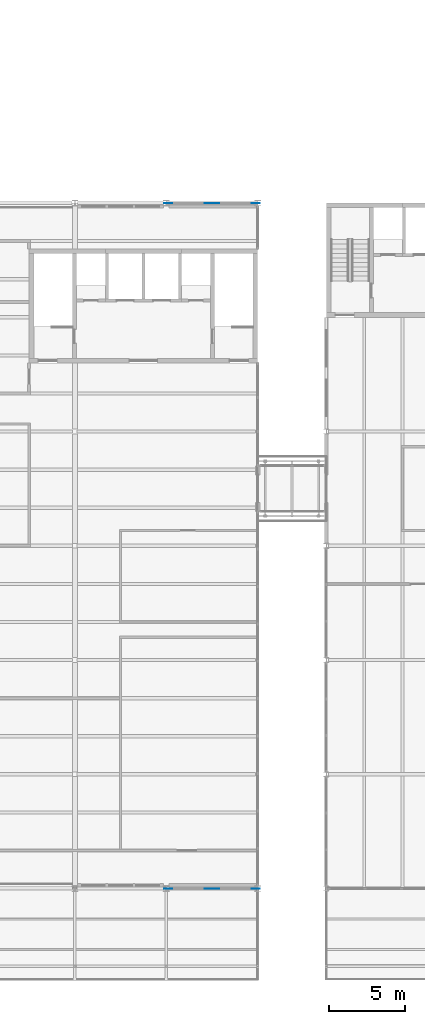
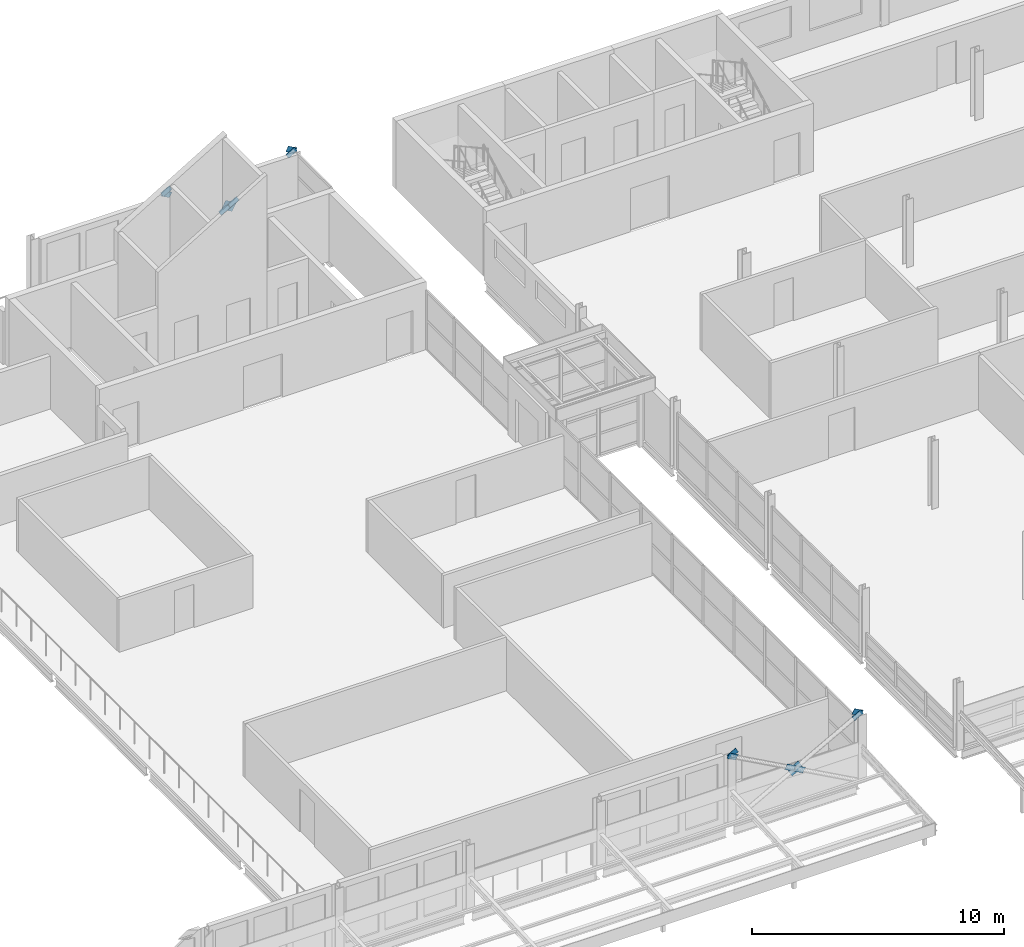
# One storey, part 177 of 214: 14 discrete accessories.
"""IFC4 building model written with IfcOpenShell, lengths in metres."""

import ifcopenshell
import ifcopenshell.guid

model = None  # the IFC model being written
_history = None  # IfcOwnerHistory: only IFC2X3 demands one
_inside = {}  # id of a spatial element -> (the spatial element, [elements in it])
_under = {}  # id of a project, library or spatial element -> (it, [spatial elements below it])
_declared = {}  # id of a project -> (the project, [libraries it declares])
_typed = {}  # id of a type object -> (the type object, [elements of that type])
_made_of = {}  # id of a material, layer set ... -> (it, [elements and type objects made of it])


def new_model(schema):
    """Start an empty IFC model of exactly this schema.

    Asked for "IFC4X3", IfcOpenShell would pick the latest addendum, in which some entities
    have other attributes; the version numbers below select the first issue.
    IFC2X3 requires an IfcOwnerHistory on every rooted entity: one is made here for all.
    """
    global model, _history
    if schema == "IFC4X3":
        model = ifcopenshell.file(schema_version=(4, 3, 0, 0))
    else:
        model = ifcopenshell.file(schema=schema)
    _inside.clear()
    _under.clear()
    _declared.clear()
    _typed.clear()
    _made_of.clear()
    _history = None
    if model.schema == "IFC2X3":
        org = make("IfcOrganization", Name="unknown")
        user = make(
            "IfcPersonAndOrganization",
            ThePerson=make("IfcPerson", FamilyName="unknown"),
            TheOrganization=org,
        )
        app = make(
            "IfcApplication",
            ApplicationDeveloper=org,
            Version="unknown",
            ApplicationFullName="unknown",
            ApplicationIdentifier="unknown",
        )
        _history = make(
            "IfcOwnerHistory",
            OwningUser=user,
            OwningApplication=app,
            ChangeAction="ADDED",
            CreationDate=0,
        )
    return model


def make(cls, **values):
    """One entity of the class cls with the attributes given. An attribute that is None is left unset."""
    return model.create_entity(
        cls, **{name: value for name, value in values.items() if value is not None}
    )


def rooted(cls, **values):
    """An entity with a GlobalId (a new one), such as an element, a storey or a relation."""
    return make(cls, GlobalId=ifcopenshell.guid.new(), OwnerHistory=_history, **values)


def si_unit(unit_type, name, prefix=None):
    """IfcSIUnit, for example si_unit("LENGTHUNIT", "METRE", prefix="MILLI")."""
    return make("IfcSIUnit", UnitType=unit_type, Prefix=prefix, Name=name)


def assignment(units):
    """IfcUnitAssignment: the units of a project."""
    return None if units is None else make("IfcUnitAssignment", Units=units)


def point(xyz):
    """IfcCartesianPoint."""
    return None if xyz is None else make("IfcCartesianPoint", Coordinates=xyz)


def direction(xyz):
    """IfcDirection."""
    return None if xyz is None else make("IfcDirection", DirectionRatios=xyz)


def frame(location, z_axis=None, x_axis=None):
    """IfcAxis2Placement3D, a coordinate frame: its origin and axes. An axis left out is left unset."""
    return make(
        "IfcAxis2Placement3D",
        Location=point(location),
        Axis=direction(z_axis),
        RefDirection=direction(x_axis),
    )


def origin():
    """The frame at (0, 0, 0) with its axes left unset."""
    return frame((0.0, 0.0, 0.0))


def place(relative_to, where):
    """IfcLocalPlacement: puts the frame where relative to a parent placement (None: the world)."""
    return make(
        "IfcLocalPlacement", PlacementRelTo=relative_to, RelativePlacement=where
    )


def context(
    kind, dimensions, precision=None, world=None, true_north=None, identifier=None
):
    """IfcGeometricRepresentationContext, for example the 3D "Model" context."""
    return make(
        "IfcGeometricRepresentationContext",
        ContextIdentifier=identifier,
        ContextType=kind,
        CoordinateSpaceDimension=dimensions,
        Precision=precision,
        WorldCoordinateSystem=world,
        TrueNorth=true_north,
    )


def subcontext(parent, identifier, kind, view, scale=None):
    """IfcGeometricRepresentationSubContext, for example "Body" below "Model"."""
    return make(
        "IfcGeometricRepresentationSubContext",
        ContextIdentifier=identifier,
        ContextType=kind,
        ParentContext=parent,
        TargetScale=scale,
        TargetView=view,
    )


def project(units=None, contexts=None):
    """IfcProject with its units and contexts."""
    return rooted(
        "IfcProject",
        Name="project",
        RepresentationContexts=contexts,
        UnitsInContext=assignment(units),
    )


def spatial(cls, under=None, at=None, **own):
    """A site, building, storey or space (cls), placed at a placement, below another one or the project."""
    s = rooted(cls, ObjectPlacement=at, **own)
    if under is not None:
        _under.setdefault(under.id(), (under, []))[1].append(s)
    return s


def polyline(points):
    """IfcPolyline through the points."""
    return make("IfcPolyline", Points=[point(p) for p in points])


def outline(outer, holes=None, kind="AREA"):
    """IfcArbitraryClosedProfileDef: a profile drawn as a closed curve; with holes, ...WithVoids."""
    if holes is None:
        return make("IfcArbitraryClosedProfileDef", ProfileType=kind, OuterCurve=outer)
    return make(
        "IfcArbitraryProfileDefWithVoids",
        ProfileType=kind,
        OuterCurve=outer,
        InnerCurves=holes,
    )


def extrude(swept, where, along, depth):
    """IfcExtrudedAreaSolid: the profile swept, set in the frame where, extruded along a direction by depth."""
    return make(
        "IfcExtrudedAreaSolid",
        SweptArea=swept,
        Position=where,
        ExtrudedDirection=direction(along),
        Depth=depth,
    )


def shape(context_of_items, identifier, shape_type, items):
    """IfcShapeRepresentation: the items that make up one representation, for example the "Body"."""
    return make(
        "IfcShapeRepresentation",
        ContextOfItems=context_of_items,
        RepresentationIdentifier=identifier,
        RepresentationType=shape_type,
        Items=items,
    )


def material(Name=None, Category=None):
    """IfcMaterial."""
    return make("IfcMaterial", Name=Name, Category=Category)


def layer(
    of_material, thickness, ventilated=None, Name=None, Category=None, Priority=None
):
    """IfcMaterialLayer: one layer of a wall or slab, of a material (None: an air gap)."""
    return make(
        "IfcMaterialLayer",
        Material=of_material,
        LayerThickness=thickness,
        IsVentilated=ventilated,
        Name=Name,
        Category=Category,
        Priority=Priority,
    )


def layer_set(layers, Name=None):
    """IfcMaterialLayerSet."""
    return make("IfcMaterialLayerSet", MaterialLayers=layers, LayerSetName=Name)


def made_of(thing, what):
    """Note that an element or type object is made of a material, layer set ...; save() writes the relation."""
    if what is not None:
        _made_of.setdefault(what.id(), (what, []))[1].append(thing)
    return thing


def type_object(cls, material=None, **own):
    """A type object (cls), such as IfcWallType, which elements share."""
    return made_of(rooted(cls, **own), material)


def element(
    cls,
    number,
    at=None,
    inside=None,
    cuts=None,
    type_object=None,
    material=None,
    context=None,
    identifier="Body",
    shape_type=None,
    held_by="IfcProductDefinitionShape",
    body=None,
    shapes=None,
    **own,
):
    """One element of the class cls, such as IfcWall. Its Tag is "e" and its number.

    at: its placement. inside: the storey or other place that contains it. cuts: it is an
    opening in that element (IfcRelVoidsElement). A single representation is given by context,
    identifier, shape_type and body (its items); several are given by shapes. held_by: the class
    of the entity that holds the representations. save() writes the other relations.
    """
    e = rooted(cls, Tag="e%d" % number, ObjectPlacement=at, **own)
    if body is not None:
        shapes = [shape(context, identifier, shape_type, body)]
    if shapes is not None:
        e.Representation = make(held_by, Representations=shapes)
    if inside is not None:
        _inside.setdefault(inside.id(), (inside, []))[1].append(e)
    if cuts is not None:
        rooted(
            "IfcRelVoidsElement", RelatingBuildingElement=cuts, RelatedOpeningElement=e
        )
    if type_object is not None:
        _typed.setdefault(type_object.id(), (type_object, []))[1].append(e)
    return made_of(e, material)


def aggregate(whole, parts):
    """IfcRelAggregates: a whole, such as a stair, and the parts it consists of."""
    return rooted("IfcRelAggregates", RelatingObject=whole, RelatedObjects=parts)


def save(model, path):
    """Write the relations noted so far, then the file.

    IfcRelAggregates (storeys below a building ...), IfcRelContainedInSpatialStructure (elements
    in a storey), IfcRelDefinesByType, IfcRelAssociatesMaterial and IfcRelDeclares: one each for
    every whole, place, type object, material and project.
    """
    for whole, parts in _under.values():
        aggregate(whole, parts)
    for where, things in _inside.values():
        rooted(
            "IfcRelContainedInSpatialStructure",
            RelatedElements=things,
            RelatingStructure=where,
        )
    for kind, things in _typed.values():
        rooted("IfcRelDefinesByType", RelatedObjects=things, RelatingType=kind)
    for what, things in _made_of.values():
        rooted("IfcRelAssociatesMaterial", RelatedObjects=things, RelatingMaterial=what)
    for by, libraries in _declared.values():
        rooted("IfcRelDeclares", RelatingContext=by, RelatedDefinitions=libraries)
    model.write(path)


model = new_model("IFC4")

# Units and contexts
model_context = context("Model", 3, precision=1e-05, world=origin(), true_north=direction((0.0, 1.0)))
body_context = subcontext(model_context, "Body", "Model", "MODEL_VIEW")
ifc_project = project(units=[si_unit("LENGTHUNIT", "METRE"), si_unit("AREAUNIT", "SQUARE_METRE"), si_unit("VOLUMEUNIT", "CUBIC_METRE"), si_unit("PLANEANGLEUNIT", "RADIAN"), si_unit("MASSUNIT", "GRAM", prefix="KILO")], contexts=[model_context])

# Site, building, storey
site_placement = place(None, origin())
site = spatial("IfcSite", under=ifc_project, at=site_placement, CompositionType="ELEMENT")
building_placement = place(site_placement, origin())
building = spatial("IfcBuilding", under=site, at=building_placement, Name="Parallax Yard Mobility Hub", CompositionType="ELEMENT")
storey_placement = place(building_placement, frame((0.0, 0.0, 3.300048828125)))
storey = spatial("IfcBuildingStorey", under=building, at=storey_placement, Name="L01", CompositionType="ELEMENT", Elevation=3.300048828125)

# Discrete accessories
ifc_material = material(Name="Steel ASTM A36", Category="steel")
ifc_layer = layer(ifc_material, 0.011962890625)
ifc_layer_set = layer_set([ifc_layer], Name="Gusset plate PL12")
discrete_accessory_type = type_object("IfcDiscreteAccessoryType", Name="Gusset plate PL12", PredefinedType="BRACKET", material=ifc_layer_set)
discrete_accessory_1_placement = place(storey_placement, frame((92.606689453125, 7.5, 3.23095703125), z_axis=(0.0, 1.0, 0.0), x_axis=(0.876485923717, 0.0, 0.481427487297)))
element("IfcDiscreteAccessory", 1, at=discrete_accessory_1_placement, inside=storey, type_object=discrete_accessory_type, Name="Gusset plate PL12 at end 2 of X brace east end bay south face level 1 1", PredefinedType="BRACKET", context=body_context, shape_type="SweptSolid", body=[
    extrude(outline(polyline([(0.0, 0.0), (0.45792770498553226, 0.0), (0.4579116950974483, 0.25764517651014446), (0.00029442574671517674, 0.25809423434664636), (0.0, 0.0)])), origin(), (0.0, 0.0, -1.0), 0.011962890625),
])
discrete_accessory_2_placement = place(storey_placement, frame((90.350830078125, 7.5, 1.31005859375), z_axis=(0.0, 1.0, 0.0), x_axis=(-0.876362269373, 0.0, 0.481652543666)))
element("IfcDiscreteAccessory", 2, at=discrete_accessory_2_placement, inside=storey, type_object=discrete_accessory_type, Name="Gusset plate PL12 at end 2 of X brace east end bay south face level 1 2 (half 1)", PredefinedType="BRACKET", context=body_context, shape_type="SweptSolid", body=[
    extrude(outline(polyline([(0.0, 0.0), (0.45771373425530937, 0.0), (0.45758194904547544, 0.2577627548573592), (-0.0001317852098339095, 0.2577627548573592), (0.0, 0.0)])), origin(), (0.0, 0.0, -1.0), 0.011962890625),
])
discrete_accessory_3_placement = place(storey_placement, frame((89.649169921875, 7.5, 1.989990234375), z_axis=(0.0, 1.0, 0.0), x_axis=(0.876137085839, 0.0, -0.482062036274)))
element("IfcDiscreteAccessory", 3, at=discrete_accessory_3_placement, inside=storey, type_object=discrete_accessory_type, Name="Gusset plate PL12 at end 1 of X brace east end bay south face level 1 2 (half 2)", PredefinedType="BRACKET", context=body_context, shape_type="SweptSolid", body=[
    extrude(outline(polyline([(0.0, 0.0), (0.45783137520166645, -2.7755575615628914e-17), (0.45782004875185034, 0.25776278829712423), (-1.1326449816093098e-05, 0.2577627882971243), (0.0, 0.0)])), origin(), (0.0, 0.0, -1.0), 0.011962890625),
])
discrete_accessory_4_placement = place(storey_placement, frame((87.268798828125, 7.5, 3.0048828125), z_axis=(0.0, 1.0, 0.0), x_axis=(-0.876013079243, 0.0, 0.482287346916)))
element("IfcDiscreteAccessory", 4, at=discrete_accessory_4_placement, inside=storey, type_object=discrete_accessory_type, Name="Gusset plate PL12 at end 2 of X brace east end bay south face level 1 2 (half 2)", PredefinedType="BRACKET", context=body_context, shape_type="SweptSolid", body=[
    extrude(outline(polyline([(0.0, 0.0), (0.4576174896799312, 0.0), (0.4578863255299387, 0.25764503675123607), (-4.115897703603488e-05, 0.25809439900052183), (0.0, 0.0)])), origin(), (0.0, 0.0, -1.0), 0.011962890625),
])
discrete_accessory_5_placement = place(storey_placement, frame((87.393310546875, 7.5, 3.369140625), z_axis=(0.0, 1.0, 0.0), x_axis=(-0.876260918748, 0.0, -0.481836904226)))
element("IfcDiscreteAccessory", 5, at=discrete_accessory_5_placement, inside=storey, type_object=discrete_accessory_type, Name="Gusset plate PL12 at end 1 of X brace east end bay south face level 2 1", PredefinedType="BRACKET", context=body_context, shape_type="SweptSolid", body=[
    extrude(outline(polyline([(0.0, 0.0), (0.4580452909772414, 2.7755575615628914e-17), (0.4579089165423218, 0.25764514091531693), (0.00029148734181290437, 0.2578804128412087), (0.0, 0.0)])), origin(), (0.0, 0.0, -1.0), 0.011962890625),
])
discrete_accessory_6_placement = place(storey_placement, frame((92.731201171875, 7.5, 3.594970703125), z_axis=(0.0, 1.0, 0.0), x_axis=(0.876013079243, 0.0, -0.482287346916)))
element("IfcDiscreteAccessory", 6, at=discrete_accessory_6_placement, inside=storey, type_object=discrete_accessory_type, Name="Gusset plate PL12 at end 1 of X brace east end bay south face level 2 2 (half 1)", PredefinedType="BRACKET", context=body_context, shape_type="SweptSolid", body=[
    extrude(outline(polyline([(0.0, 0.0), (0.4576174896799312, 0.0), (0.4578863255299387, 0.25764503675123607), (-0.00015890491134164242, 0.2578805286198472), (0.0, 0.0)])), origin(), (0.0, 0.0, -1.0), 0.011962890625),
])
discrete_accessory_7_placement = place(storey_placement, frame((87.268798828125, 52.5, 3.0048828125), z_axis=(0.0, 1.0, 0.0), x_axis=(-0.876013079243, 0.0, 0.482287346916)))
element("IfcDiscreteAccessory", 7, at=discrete_accessory_7_placement, inside=storey, type_object=discrete_accessory_type, Name="Gusset plate PL12 at end 2 of X brace east end bay north face level 1 2", PredefinedType="BRACKET", context=body_context, shape_type="SweptSolid", body=[
    extrude(outline(polyline([(0.0, 0.0), (0.4576174896799312, 0.0), (0.4578863255299387, 0.25764503675123607), (-4.115897703603488e-05, 0.25809439900052183), (0.0, 0.0)])), origin(), (0.0, 0.0, -1.0), 0.011962890625),
])
discrete_accessory_8_placement = place(storey_placement, frame((89.52490234375, 52.5, 1.535888671875), z_axis=(0.0, 1.0, 0.0), x_axis=(0.876362269373, 0.0, 0.481652543666)))
element("IfcDiscreteAccessory", 8, at=discrete_accessory_8_placement, inside=storey, type_object=discrete_accessory_type, Name="Gusset plate PL12 at end 2 of X brace east end bay north face level 1 1 (half 1)", PredefinedType="BRACKET", context=body_context, shape_type="SweptSolid", body=[
    extrude(outline(polyline([(0.0, 0.0), (0.45771373425530937, 0.0), (0.45784551946514324, 0.2577627548573592), (0.0001317852098339095, 0.2577627548573592), (0.0, 0.0)])), origin(), (0.0, 0.0, -1.0), 0.011962890625),
])
discrete_accessory_9_placement = place(storey_placement, frame((90.47509765625, 52.5, 1.76416015625), z_axis=(0.0, 1.0, 0.0), x_axis=(-0.876137085839, 0.0, -0.482062036274)))
element("IfcDiscreteAccessory", 9, at=discrete_accessory_9_placement, inside=storey, type_object=discrete_accessory_type, Name="Gusset plate PL12 at end 1 of X brace east end bay north face level 1 1 (half 2)", PredefinedType="BRACKET", context=body_context, shape_type="SweptSolid", body=[
    extrude(outline(polyline([(0.0, 0.0), (0.45783137520166645, 2.7755575615628914e-17), (0.4578427016514825, 0.2577627882971243), (1.1326449816093098e-05, 0.2577627882971243), (0.0, 0.0)])), origin(), (0.0, 0.0, -1.0), 0.011962890625),
])
discrete_accessory_10_placement = place(storey_placement, frame((92.606689453125, 52.5, 3.23095703125), z_axis=(0.0, 1.0, 0.0), x_axis=(0.876485923717, 0.0, 0.481427487297)))
element("IfcDiscreteAccessory", 10, at=discrete_accessory_10_placement, inside=storey, type_object=discrete_accessory_type, Name="Gusset plate PL12 at end 2 of X brace east end bay north face level 1 1 (half 2)", PredefinedType="BRACKET", context=body_context, shape_type="SweptSolid", body=[
    extrude(outline(polyline([(0.0, 0.0), (0.45792770498553226, 0.0), (0.4579116950974483, 0.25764517651014446), (0.00029442574671517674, 0.25809423434664636), (0.0, 0.0)])), origin(), (0.0, 0.0, -1.0), 0.011962890625),
])
discrete_accessory_11_placement = place(storey_placement, frame((92.731201171875, 52.5, 3.594970703125), z_axis=(0.0, 1.0, 0.0), x_axis=(0.876013079243, 0.0, -0.482287346916)))
element("IfcDiscreteAccessory", 11, at=discrete_accessory_11_placement, inside=storey, type_object=discrete_accessory_type, Name="Gusset plate PL12 at end 1 of X brace east end bay north face level 2 2", PredefinedType="BRACKET", context=body_context, shape_type="SweptSolid", body=[
    extrude(outline(polyline([(0.0, 0.0), (0.4576174896799312, 0.0), (0.4578863255299387, 0.25764503675123607), (-0.00015890491134164242, 0.2578805286198472), (0.0, 0.0)])), origin(), (0.0, 0.0, -1.0), 0.011962890625),
])
discrete_accessory_12_placement = place(storey_placement, frame((87.393310546875, 52.5, 3.369140625), z_axis=(0.0, 1.0, 0.0), x_axis=(-0.876260918748, 0.0, -0.481836904226)))
element("IfcDiscreteAccessory", 12, at=discrete_accessory_12_placement, inside=storey, type_object=discrete_accessory_type, Name="Gusset plate PL12 at end 1 of X brace east end bay north face level 2 1 (half 1)", PredefinedType="BRACKET", context=body_context, shape_type="SweptSolid", body=[
    extrude(outline(polyline([(0.0, 0.0), (0.4580452909772414, 2.7755575615628914e-17), (0.4579089165423218, 0.25764514091531693), (0.00029148734181290437, 0.2578804128412087), (0.0, 0.0)])), origin(), (0.0, 0.0, -1.0), 0.011962890625),
])
discrete_accessory_13_placement = place(storey_placement, frame((89.653564453125, 7.5, 1.698974609375), z_axis=(0.0, 1.0, 0.0), x_axis=(0.876206700171, 0.0, 0.48193549213)))
element("IfcDiscreteAccessory", 13, at=discrete_accessory_13_placement, inside=storey, type_object=discrete_accessory_type, Name="Gusset plate PL12 crossing node of X brace east end bay south face level 1 2", PredefinedType="BRACKET", context=body_context, shape_type="SweptSolid", body=[
    extrude(outline(polyline([(0.0, 0.0), (0.5597748973262152, 0.0), (0.5597989617310029, 0.41991406741557824), (2.4064404787665916e-05, 0.41991406741557824), (0.0, 0.0)])), origin(), (0.0, 0.0, -1.0), 0.011962890625),
])
discrete_accessory_14_placement = place(storey_placement, frame((90.14404296875, 52.5, 1.3310546875), z_axis=(0.0, 1.0, 0.0), x_axis=(-0.876206700171, 0.0, 0.48193549213)))
element("IfcDiscreteAccessory", 14, at=discrete_accessory_14_placement, inside=storey, type_object=discrete_accessory_type, Name="Gusset plate PL12 crossing node of X brace east end bay north face level 1 1", PredefinedType="BRACKET", context=body_context, shape_type="SweptSolid", body=[
    extrude(outline(polyline([(0.0, 0.0), (0.5597748973262152, 0.0), (0.5597508329214275, 0.41991406741557824), (-2.4064404787665916e-05, 0.41991406741557824), (0.0, 0.0)])), origin(), (0.0, 0.0, -1.0), 0.011962890625),
])

save(model, "model.ifc")
